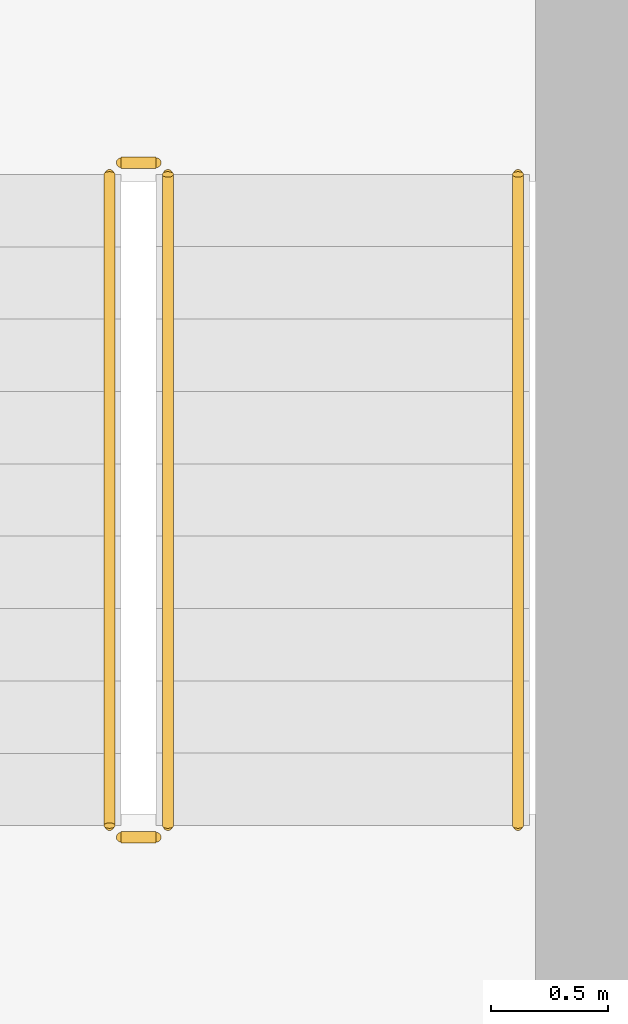
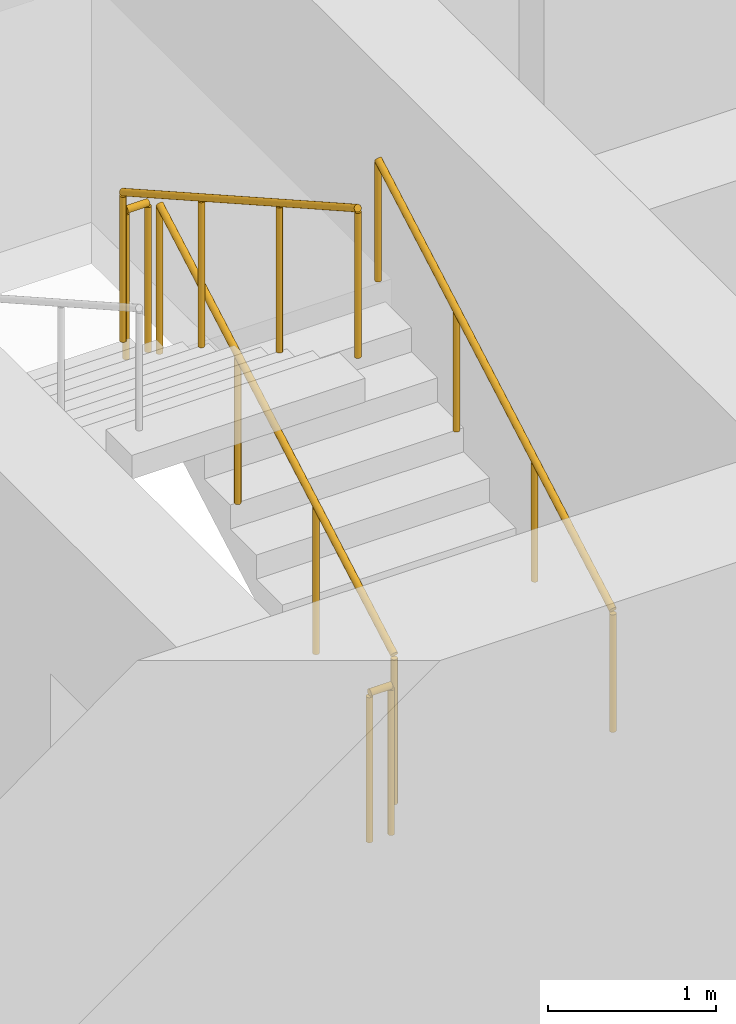
# One storey, part 18 of 22: 5 railings.
"""IFC4 building model written with IfcOpenShell, lengths in metres."""

from ifc_helpers import new_model, si_unit, direction, frame, origin, origin_2d, place, context, subcontext, project, spatial, circle, extrude, material, type_object, element, save


model = new_model("IFC4")

# Units and contexts
model_context = context("Model", 3, precision=1e-05, world=origin(), true_north=direction((0.0, 1.0)))
body_context = subcontext(model_context, "Body", "Model", "MODEL_VIEW")
ifc_project = project(units=[si_unit("LENGTHUNIT", "METRE"), si_unit("AREAUNIT", "SQUARE_METRE"), si_unit("VOLUMEUNIT", "CUBIC_METRE"), si_unit("PLANEANGLEUNIT", "RADIAN"), si_unit("MASSUNIT", "GRAM", prefix="KILO")], contexts=[model_context])

# Site, building, storey
site_placement = place(None, origin())
site = spatial("IfcSite", under=ifc_project, at=site_placement, CompositionType="ELEMENT")
building_placement = place(site_placement, origin())
building = spatial("IfcBuilding", under=site, at=building_placement, Name="Madar Terraces", CompositionType="ELEMENT")
storey_placement = place(building_placement, frame((0.0, 0.0, 66.300048828125)))
storey = spatial("IfcBuildingStorey", under=building, at=storey_placement, Name="L16", CompositionType="ELEMENT", Elevation=66.300048828125)

# Railings
ifc_material_1 = material(Name="Stainless steel railing", Category="steel")
railing_type_1 = type_object("IfcRailingType", Name="Stair guard 1100", PredefinedType="GUARDRAIL", material=ifc_material_1)
railing_1_placement = place(storey_placement, frame((21.199951171875, 17.60009765625, 0.175048828125)))
element("IfcRailing", 1, at=railing_1_placement, inside=storey, type_object=railing_type_1, Name="L16 ST1 stair guard 1", PredefinedType="GUARDRAIL", context=body_context, shape_type="SweptSolid", body=[
    extrude(circle(Radius=0.02392578125, at=origin_2d()), frame((0.0, 0.0, 1.076171875), z_axis=(0.0, 0.870815363784, 0.491610213684), x_axis=(-1.0, 0.0, 0.0)), (0.0, 0.0, 1.0), 3.20361328125),
    extrude(circle(Radius=0.02099609375, at=origin_2d()), origin(), (0.0, 0.0, 1.0), 1.052001953125),
    extrude(circle(Radius=0.02099609375, at=origin_2d()), frame((0.0, 0.929931640625, 0.52490234375)), (0.0, 0.0, 1.0), 1.052001953125),
    extrude(circle(Radius=0.02099609375, at=origin_2d()), frame((0.0, 1.85986328125, 1.050048828125)), (0.0, 0.0, 1.0), 1.052001953125),
    extrude(circle(Radius=0.02099609375, at=origin_2d()), frame((0.0, 2.789794921875, 1.574951171875)), (0.0, 0.0, 1.0), 1.052001953125),
])
railing_2_placement = place(storey_placement, frame((21.14990234375, 20.43994140625, 1.75)))
element("IfcRailing", 2, at=railing_2_placement, inside=storey, type_object=railing_type_1, Name="L16 ST1 stair guard 2", PredefinedType="GUARDRAIL", context=body_context, shape_type="SweptSolid", body=[
    extrude(circle(Radius=0.02392578125, at=origin_2d()), frame((0.0, 0.0, 1.076171875), z_axis=(-1.0, 0.0, 0.0), x_axis=(0.0, -1.0, 0.0)), (0.0, 0.0, 1.0), 0.14990234375),
    extrude(circle(Radius=0.02099609375, at=origin_2d()), origin(), (0.0, 0.0, 1.0), 1.052001953125),
    extrude(circle(Radius=0.02099609375, at=origin_2d()), frame((-0.14990234375, 0.0, 0.0)), (0.0, 0.0, 1.0), 1.052001953125),
])
railing_3_placement = place(storey_placement, frame((20.949951171875, 20.389892578125, 1.925048828125)))
element("IfcRailing", 3, at=railing_3_placement, inside=storey, type_object=railing_type_1, Name="L16 ST1 stair guard 3", PredefinedType="GUARDRAIL", context=body_context, shape_type="SweptSolid", body=[
    extrude(circle(Radius=0.02392578125, at=origin_2d()), frame((0.0, 0.0, 1.076171875), z_axis=(0.0, -0.870815363784, 0.491610213684), x_axis=(1.0, 0.0, 0.0)), (0.0, 0.0, 1.0), 3.20361328125),
    extrude(circle(Radius=0.02099609375, at=origin_2d()), origin(), (0.0, 0.0, 1.0), 1.052001953125),
    extrude(circle(Radius=0.02099609375, at=origin_2d()), frame((0.0, -0.929931640625, 0.52490234375)), (0.0, 0.0, 1.0), 1.052001953125),
    extrude(circle(Radius=0.02099609375, at=origin_2d()), frame((0.0, -1.85986328125, 1.050048828125)), (0.0, 0.0, 1.0), 1.052001953125),
    extrude(circle(Radius=0.02099609375, at=origin_2d()), frame((0.0, -2.789794921875, 1.574951171875)), (0.0, 0.0, 1.0), 1.052001953125),
])
railing_4_placement = place(storey_placement, frame((21.14990234375, 17.550048828125, 0.0)))
element("IfcRailing", 4, at=railing_4_placement, inside=storey, type_object=railing_type_1, Name="L16 ST1 stair guard 4", PredefinedType="GUARDRAIL", context=body_context, shape_type="SweptSolid", body=[
    extrude(circle(Radius=0.02392578125, at=origin_2d()), frame((0.0, 0.0, 1.076171875), z_axis=(-1.0, 0.0, 0.0), x_axis=(0.0, -1.0, 0.0)), (0.0, 0.0, 1.0), 0.14990234375),
    extrude(circle(Radius=0.02099609375, at=origin_2d()), origin(), (0.0, 0.0, 1.0), 1.052001953125),
    extrude(circle(Radius=0.02099609375, at=origin_2d()), frame((-0.14990234375, 0.0, 0.0)), (0.0, 0.0, 1.0), 1.052001953125),
])
ifc_material_2 = material(Name="Stainless steel railing", Category="steel")
railing_type_2 = type_object("IfcRailingType", Name="Stair handrail 900", PredefinedType="HANDRAIL", material=ifc_material_2)
railing_5_placement = place(storey_placement, frame((22.699951171875, 17.60009765625, 0.175048828125)))
element("IfcRailing", 5, at=railing_5_placement, inside=storey, type_object=railing_type_2, Name="L16 ST1 stair handrail 1", PredefinedType="HANDRAIL", context=body_context, shape_type="SweptSolid", body=[
    extrude(circle(Radius=0.02392578125, at=origin_2d()), frame((0.0, 0.0, 0.8759765625), z_axis=(0.0, 0.870815363784, 0.491610213684), x_axis=(-1.0, 0.0, 0.0)), (0.0, 0.0, 1.0), 3.20361328125),
    extrude(circle(Radius=0.02099609375, at=origin_2d()), origin(), (0.0, 0.0, 1.0), 0.851806640625),
    extrude(circle(Radius=0.02099609375, at=origin_2d()), frame((0.0, 0.929931640625, 0.52490234375)), (0.0, 0.0, 1.0), 0.851806640625),
    extrude(circle(Radius=0.02099609375, at=origin_2d()), frame((0.0, 1.85986328125, 1.050048828125)), (0.0, 0.0, 1.0), 0.851806640625),
    extrude(circle(Radius=0.02099609375, at=origin_2d()), frame((0.0, 2.789794921875, 1.574951171875)), (0.0, 0.0, 1.0), 0.851806640625),
])

save(model, "model.ifc")
